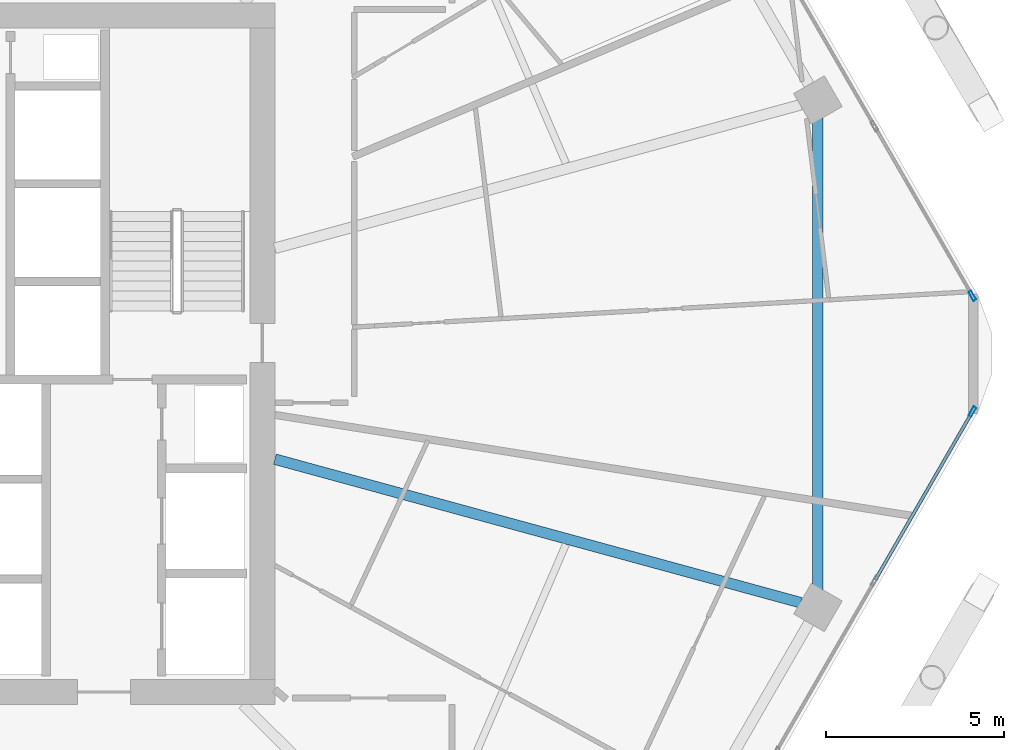
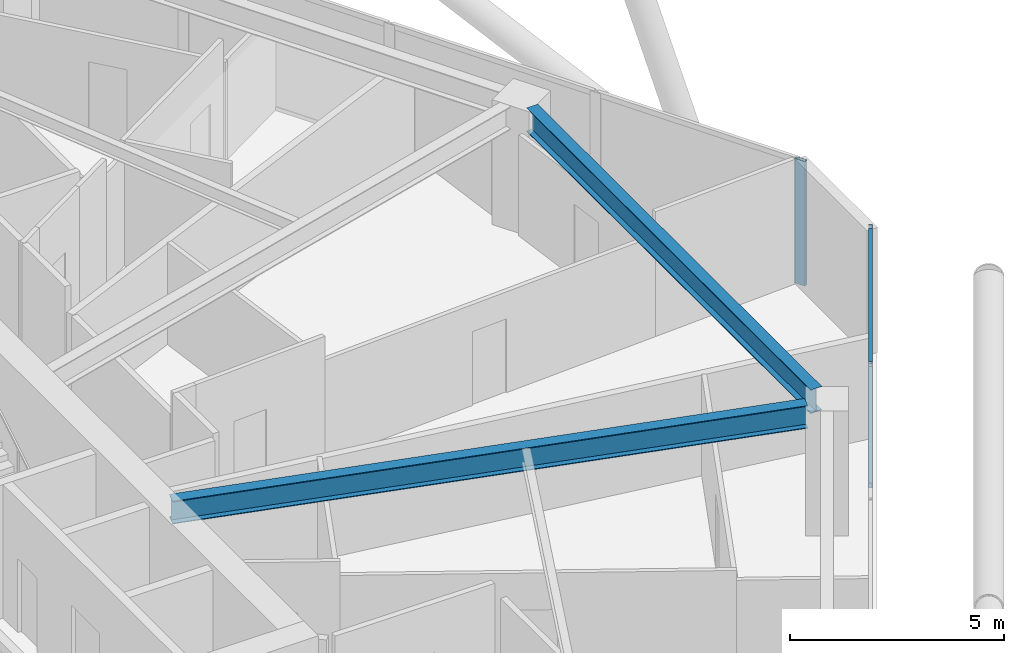
# One storey, part 9 of 29: 4 members, 2 beams, 2 elements without a shape of their own.
"""IFC4 building model written with IfcOpenShell, lengths in metres."""

from ifc_helpers import new_model, si_unit, direction, frame, origin, origin_2d, place, context, subcontext, project, spatial, hollow_rectangle, i_section, extrude, material, material_profile, profile_set, type_object, element, aggregate, save


model = new_model("IFC4")

# Units and contexts
model_context = context("Model", 3, precision=1e-05, world=origin(), true_north=direction((0.0, 1.0)))
body_context = subcontext(model_context, "Body", "Model", "MODEL_VIEW")
ifc_project = project(units=[si_unit("LENGTHUNIT", "METRE"), si_unit("AREAUNIT", "SQUARE_METRE"), si_unit("VOLUMEUNIT", "CUBIC_METRE"), si_unit("PLANEANGLEUNIT", "RADIAN"), si_unit("MASSUNIT", "GRAM", prefix="KILO")], contexts=[model_context])

# Site, building, storey
site_placement = place(None, origin())
site = spatial("IfcSite", under=ifc_project, at=site_placement, CompositionType="ELEMENT")
building_placement = place(site_placement, origin())
building = spatial("IfcBuilding", under=site, at=building_placement, Name="Zuhravey Tower", CompositionType="ELEMENT")
storey_placement = place(building_placement, frame((0.0, 0.0, 161.800048828125)))
storey = spatial("IfcBuildingStorey", under=building, at=storey_placement, Name="L40", CompositionType="ELEMENT", Elevation=161.800048828125)

# Curtain wall, member
ifc_material_1 = material(Name="Thermally broken anodised aluminium", Category="aluminium")
curtain_wall_type = type_object("IfcCurtainWallType", Name="Zone 1-2 Residential Curtain Wall CW3", PredefinedType="NOTDEFINED", material=ifc_material_1)
curtain_wall_1_placement = place(storey_placement, origin())
curtain_wall_1 = element("IfcCurtainWall", 1, at=curtain_wall_1_placement, inside=storey, type_object=curtain_wall_type, Name="L40 CW3 CW-L40-F6-1", PredefinedType="NOTDEFINED")
ifc_material_2 = material(Name="Anodised aluminium", Category="aluminium")
ifc_material_profile_1 = material_profile(ifc_material_2, hollow_rectangle(XDim=0.090087890625, YDim=0.284912109375, WallThickness=0.0048828125, at=origin_2d()), Name="ALU-RHS-90x285x5")
ifc_profile_set_1 = profile_set([ifc_material_profile_1], Name="Anodised aluminium")
member_type_1 = type_object("IfcMemberType", Name="Curtain-Wall Mullion 90x180", PredefinedType="MULLION", material=ifc_profile_set_1)
member_1_placement = place(storey_placement, frame((66.44921875, 30.37353515625, 0.0), z_axis=(0.0, 0.0, 1.0), x_axis=(0.866025138215, -0.500000459979, 0.0)))
member_1 = element("IfcMember", 2, at=member_1_placement, type_object=member_type_1, Name="CW3 mullion 1", PredefinedType="MULLION", context=body_context, shape_type="SweptSolid", body=[
    extrude(hollow_rectangle(XDim=0.090087890625, YDim=0.284912109375, WallThickness=0.0048828125, at=origin_2d()), origin(), (0.0, 0.0, 1.0), 3.550048828125),
])

curtain_wall_2_placement = place(storey_placement, origin())
curtain_wall_2 = element("IfcCurtainWall", 3, at=curtain_wall_2_placement, inside=storey, type_object=curtain_wall_type, Name="L40 CW3 CW-L40-F1-1", PredefinedType="NOTDEFINED")
member_2_placement = place(storey_placement, frame((66.44921875, 33.62646484375, 0.0), z_axis=(0.0, 0.0, 1.0), x_axis=(0.866025138215, 0.500000459979, 0.0)))
member_2 = element("IfcMember", 4, at=member_2_placement, type_object=member_type_1, Name="CW3 mullion 6", PredefinedType="MULLION", context=body_context, shape_type="SweptSolid", body=[
    extrude(hollow_rectangle(XDim=0.090087890625, YDim=0.284912109375, WallThickness=0.0048828125, at=origin_2d()), origin(), (0.0, 0.0, 1.0), 3.550048828125),
])
aggregate(curtain_wall_2, [member_2])

# Member
ifc_material_profile_2 = material_profile(ifc_material_2, hollow_rectangle(XDim=0.090087890625, YDim=0.14990234375, WallThickness=0.0048828125, at=origin_2d()), Name="ALU-RHS-90x150x5")
ifc_profile_set_2 = profile_set([ifc_material_profile_2], Name="Anodised aluminium")
member_type_2 = type_object("IfcMemberType", Name="Curtain-Wall Transom 90x150", PredefinedType="USERDEFINED", material=ifc_profile_set_2)
member_3_placement = place(storey_placement, frame((66.4267578125, 30.33447265625, 0.044921875), z_axis=(-0.499993332629, -0.866029253159, 0.0), x_axis=(0.866029253159, -0.499993332629, 0.0)))
member_3 = element("IfcMember", 5, at=member_3_placement, type_object=member_type_2, Name="CW3 transom 1.1", ObjectType="TRANSOM", PredefinedType="USERDEFINED", context=body_context, shape_type="SweptSolid", body=[
    extrude(hollow_rectangle(XDim=0.090087890625, YDim=0.14990234375, WallThickness=0.0048828125, at=origin_2d()), origin(), (0.0, 0.0, 1.0), 5.4091796875),
])

member_4_placement = place(storey_placement, frame((66.4267578125, 30.33447265625, 3.5048828125), z_axis=(-0.499993332629, -0.866029253159, 0.0), x_axis=(0.866029253159, -0.499993332629, 0.0)))
member_4 = element("IfcMember", 6, at=member_4_placement, type_object=member_type_2, Name="CW3 transom 1.2", ObjectType="TRANSOM", PredefinedType="USERDEFINED", context=body_context, shape_type="SweptSolid", body=[
    extrude(hollow_rectangle(XDim=0.090087890625, YDim=0.14990234375, WallThickness=0.0048828125, at=origin_2d()), origin(), (0.0, 0.0, 1.0), 5.4091796875),
])

aggregate(curtain_wall_1, [member_1, member_3, member_4])

# Beams
ifc_material_3 = material(Name="Steel SM355", Category="steel")
ifc_material_profile_3 = material_profile(ifc_material_3, i_section(OverallWidth=0.300048828125, OverallDepth=0.679931640625, WebThickness=0.012939453125, FlangeThickness=0.02197265625, at=origin_2d()), Name="H-680x300x13x22")
ifc_profile_set_3 = profile_set([ifc_material_profile_3], Name="Steel SM355")
beam_type_1 = type_object("IfcBeamType", Name="Perimeter Ring Beam H680x300", PredefinedType="BEAM", material=ifc_profile_set_3)
beam_1_placement = place(storey_placement, frame((62.107666015625, 25.37646484375, 3.2099609375), z_axis=(0.0, 1.0, 0.0), x_axis=(-1.0, 0.0, 0.0)))
element("IfcBeam", 7, at=beam_1_placement, inside=storey, type_object=beam_type_1, Name="L40 PB2 BM-L40-PB-12", PredefinedType="BEAM", context=body_context, shape_type="SweptSolid", body=[
    extrude(i_section(OverallWidth=0.300048828125, OverallDepth=0.679931640625, WebThickness=0.012939453125, FlangeThickness=0.02197265625, at=origin_2d()), origin(), (0.0, 0.0, 1.0), 13.2470703125),
])
ifc_material_profile_4 = material_profile(ifc_material_3, i_section(OverallWidth=0.300048828125, OverallDepth=0.64990234375, WebThickness=0.012939453125, FlangeThickness=0.02197265625, at=origin_2d()), Name="H-650x300x13x22")
ifc_profile_set_4 = profile_set([ifc_material_profile_4], Name="Steel SM355")
beam_type_2 = type_object("IfcBeamType", Name="Radial Primary Girder H650x300", PredefinedType="BEAM", material=ifc_profile_set_4)
beam_2_placement = place(storey_placement, frame((46.85302734375, 29.03759765625, 3.224853515625), z_axis=(0.964701601771, -0.263345437667, 0.0), x_axis=(0.263345437667, 0.964701601771, 0.0)))
element("IfcBeam", 8, at=beam_2_placement, inside=storey, type_object=beam_type_2, Name="L40 RG2 BM-L40-RAD-12", PredefinedType="BEAM", context=body_context, shape_type="SweptSolid", body=[
    extrude(i_section(OverallWidth=0.300048828125, OverallDepth=0.64990234375, WebThickness=0.012939453125, FlangeThickness=0.02197265625, at=origin_2d()), origin(), (0.0, 0.0, 1.0), 15.309814453125),
])

save(model, "model.ifc")
